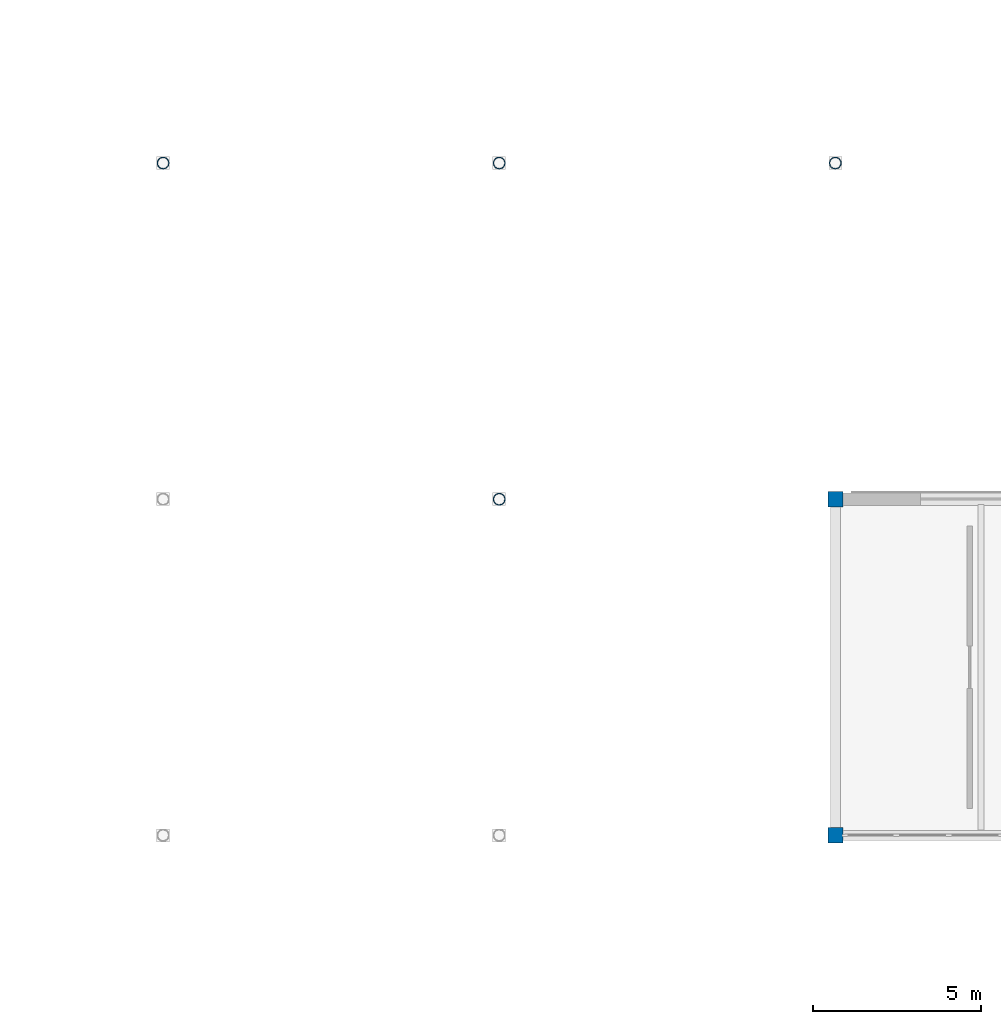
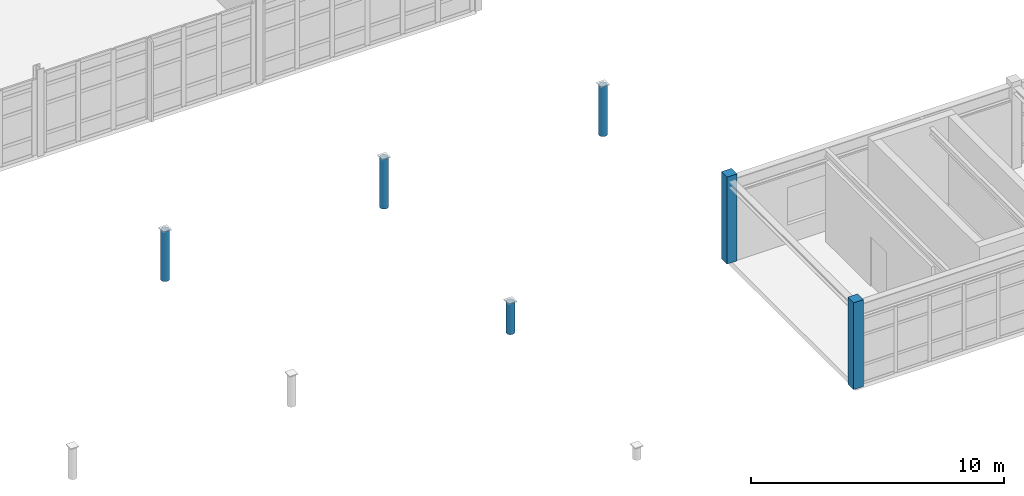
# One storey, part 8 of 122: 6 columns.
"""IFC4 building model written with IfcOpenShell, lengths in metres."""

from ifc_helpers import new_model, si_unit, direction, frame, origin, origin_2d, place, context, subcontext, project, spatial, rectangle, hollow_circle, extrude, material, material_profile, profile_set, type_object, element, save


model = new_model("IFC4")

# Units and contexts
model_context = context("Model", 3, precision=1e-05, world=origin(), true_north=direction((0.0, 1.0)))
body_context = subcontext(model_context, "Body", "Model", "MODEL_VIEW")
ifc_project = project(units=[si_unit("LENGTHUNIT", "METRE"), si_unit("AREAUNIT", "SQUARE_METRE"), si_unit("VOLUMEUNIT", "CUBIC_METRE"), si_unit("PLANEANGLEUNIT", "RADIAN"), si_unit("MASSUNIT", "GRAM", prefix="KILO"), si_unit("THERMODYNAMICTEMPERATUREUNIT", "KELVIN"), si_unit("POWERUNIT", "WATT")], contexts=[model_context])

# Site, building, storey
site_placement = place(None, origin())
site = spatial("IfcSite", under=ifc_project, at=site_placement, CompositionType="ELEMENT")
building_placement = place(site_placement, origin())
building = spatial("IfcBuilding", under=site, at=building_placement, Name="Korenveer Ferry Terminal", CompositionType="ELEMENT")
storey_placement = place(building_placement, frame((0.0, 0.0, 10.199951171875)))
storey = spatial("IfcBuildingStorey", under=building, at=storey_placement, Name="L02", CompositionType="ELEMENT", Elevation=10.199951171875)

# Columns
ifc_material_1 = material(Name="Steel S355", Category="steel")
ifc_material_profile_1 = material_profile(ifc_material_1, hollow_circle(Radius=0.177734375, WallThickness=0.01611328125, at=origin_2d()), Name="CHS 355.6x16")
ifc_profile_set_1 = profile_set([ifc_material_profile_1], Name="Steel S355")
column_type_1 = type_object("IfcColumnType", Name="STR-COL-CHS355", PredefinedType="COLUMN", material=ifc_profile_set_1)
column_1_placement = place(storey_placement, frame((103.0, 40.0, 0.001953125), z_axis=(0.0, 0.0, 1.0), x_axis=(1.0, 0.0, 0.0)))
element("IfcColumn", 1, at=column_1_placement, inside=storey, type_object=column_type_1, Name="Folded roof valley support column RCOL-X103-Y40", PredefinedType="COLUMN", context=body_context, shape_type="SweptSolid", body=[
    extrude(hollow_circle(Radius=0.177734375, WallThickness=0.01611328125, at=origin_2d()), origin(), (0.0, 0.0, 1.0), 2.412353515625),
])
column_2_placement = place(storey_placement, frame((113.0, 30.0, 0.001953125), z_axis=(0.0, 0.0, 1.0), x_axis=(1.0, 0.0, 0.0)))
element("IfcColumn", 2, at=column_2_placement, inside=storey, type_object=column_type_1, Name="Folded roof valley support column RCOL-X113-Y30", PredefinedType="COLUMN", context=body_context, shape_type="SweptSolid", body=[
    extrude(hollow_circle(Radius=0.177734375, WallThickness=0.01611328125, at=origin_2d()), origin(), (0.0, 0.0, 1.0), 1.50439453125),
])
for number, where, z_axis, x_axis, name in (
    (3, (113.0, 40.0, 0.001953125), (0.0, 0.0, 1.0), (1.0, 0.0, 0.0), "Folded roof valley support column RCOL-X113-Y40"),
    (4, (123.0, 40.0, 0.001953125), (0.0, 0.0, 1.0), (1.0, 0.0, 0.0), "Folded roof valley support column RCOL-X123-Y40"),
):
    element("IfcColumn", number, at=place(storey_placement, frame(where, z_axis=z_axis, x_axis=x_axis)), inside=storey, type_object=column_type_1, Name=name, PredefinedType="COLUMN", context=body_context, shape_type="SweptSolid", body=[
        extrude(hollow_circle(Radius=0.177734375, WallThickness=0.01611328125, at=origin_2d()), origin(), (0.0, 0.0, 1.0), 2.412353515625),
    ])
ifc_material_2 = material(Name="Concrete C45/55", Category="concrete")
ifc_material_profile_2 = material_profile(ifc_material_2, rectangle(XDim=0.449951171875, YDim=0.449951171875, at=origin_2d()), Name="RC 450x450")
ifc_profile_set_2 = profile_set([ifc_material_profile_2], Name="Concrete C45/55")
column_type_2 = type_object("IfcColumnType", Name="STR-COL-RC450", PredefinedType="COLUMN", material=ifc_profile_set_2)
for number, where, z_axis, x_axis, name in (
    (5, (123.0, 20.0, 0.0), (0.0, 0.0, 1.0), (1.0, 0.0, 0.0), "Column COL-L02-X123-Y20"),
    (6, (123.0, 30.0, 0.0), (0.0, 0.0, 1.0), (1.0, 0.0, 0.0), "Column COL-L02-X123-Y30"),
):
    element("IfcColumn", number, at=place(storey_placement, frame(where, z_axis=z_axis, x_axis=x_axis)), inside=storey, type_object=column_type_2, Name=name, PredefinedType="COLUMN", context=body_context, shape_type="SweptSolid", body=[
        extrude(rectangle(XDim=0.449951171875, YDim=0.449951171875, at=origin_2d()), origin(), (0.0, 0.0, 1.0), 4.199951171875),
    ])

save(model, "model.ifc")
